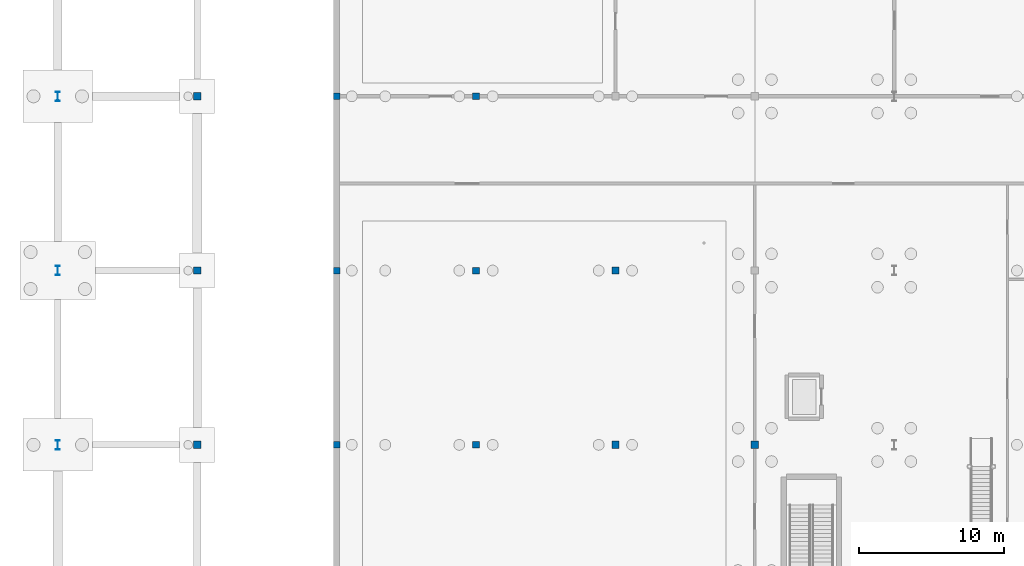
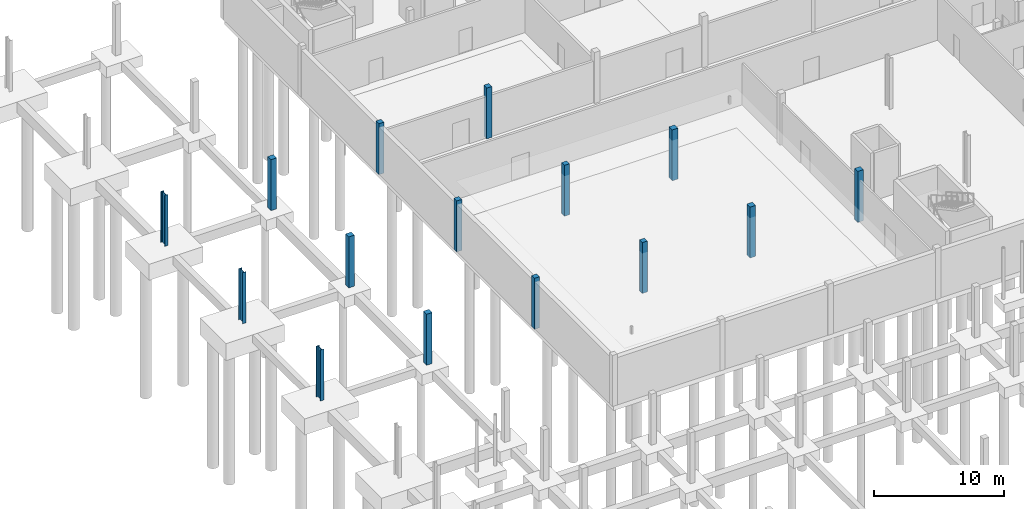
# One storey, part 15 of 31: 15 columns.
"""IFC4 building model written with IfcOpenShell, lengths in metres."""

import ifcopenshell
import ifcopenshell.guid

model = None  # the IFC model being written
_history = None  # IfcOwnerHistory: only IFC2X3 demands one
_inside = {}  # id of a spatial element -> (the spatial element, [elements in it])
_under = {}  # id of a project, library or spatial element -> (it, [spatial elements below it])
_declared = {}  # id of a project -> (the project, [libraries it declares])
_typed = {}  # id of a type object -> (the type object, [elements of that type])
_made_of = {}  # id of a material, layer set ... -> (it, [elements and type objects made of it])


def new_model(schema):
    """Start an empty IFC model of exactly this schema.

    Asked for "IFC4X3", IfcOpenShell would pick the latest addendum, in which some entities
    have other attributes; the version numbers below select the first issue.
    IFC2X3 requires an IfcOwnerHistory on every rooted entity: one is made here for all.
    """
    global model, _history
    if schema == "IFC4X3":
        model = ifcopenshell.file(schema_version=(4, 3, 0, 0))
    else:
        model = ifcopenshell.file(schema=schema)
    _inside.clear()
    _under.clear()
    _declared.clear()
    _typed.clear()
    _made_of.clear()
    _history = None
    if model.schema == "IFC2X3":
        org = make("IfcOrganization", Name="unknown")
        user = make(
            "IfcPersonAndOrganization",
            ThePerson=make("IfcPerson", FamilyName="unknown"),
            TheOrganization=org,
        )
        app = make(
            "IfcApplication",
            ApplicationDeveloper=org,
            Version="unknown",
            ApplicationFullName="unknown",
            ApplicationIdentifier="unknown",
        )
        _history = make(
            "IfcOwnerHistory",
            OwningUser=user,
            OwningApplication=app,
            ChangeAction="ADDED",
            CreationDate=0,
        )
    return model


def make(cls, **values):
    """One entity of the class cls with the attributes given. An attribute that is None is left unset."""
    return model.create_entity(
        cls, **{name: value for name, value in values.items() if value is not None}
    )


def rooted(cls, **values):
    """An entity with a GlobalId (a new one), such as an element, a storey or a relation."""
    return make(cls, GlobalId=ifcopenshell.guid.new(), OwnerHistory=_history, **values)


def si_unit(unit_type, name, prefix=None):
    """IfcSIUnit, for example si_unit("LENGTHUNIT", "METRE", prefix="MILLI")."""
    return make("IfcSIUnit", UnitType=unit_type, Prefix=prefix, Name=name)


def assignment(units):
    """IfcUnitAssignment: the units of a project."""
    return None if units is None else make("IfcUnitAssignment", Units=units)


def point(xyz):
    """IfcCartesianPoint."""
    return None if xyz is None else make("IfcCartesianPoint", Coordinates=xyz)


def direction(xyz):
    """IfcDirection."""
    return None if xyz is None else make("IfcDirection", DirectionRatios=xyz)


def frame(location, z_axis=None, x_axis=None):
    """IfcAxis2Placement3D, a coordinate frame: its origin and axes. An axis left out is left unset."""
    return make(
        "IfcAxis2Placement3D",
        Location=point(location),
        Axis=direction(z_axis),
        RefDirection=direction(x_axis),
    )


def frame_2d(location, x_axis=None):
    """IfcAxis2Placement2D, a coordinate frame in the plane: its origin and x axis."""
    return make(
        "IfcAxis2Placement2D", Location=point(location), RefDirection=direction(x_axis)
    )


def origin():
    """The frame at (0, 0, 0) with its axes left unset."""
    return frame((0.0, 0.0, 0.0))


def origin_2d():
    """The frame at (0, 0) in the plane with its x axis left unset."""
    return frame_2d((0.0, 0.0))


def place(relative_to, where):
    """IfcLocalPlacement: puts the frame where relative to a parent placement (None: the world)."""
    return make(
        "IfcLocalPlacement", PlacementRelTo=relative_to, RelativePlacement=where
    )


def context(
    kind, dimensions, precision=None, world=None, true_north=None, identifier=None
):
    """IfcGeometricRepresentationContext, for example the 3D "Model" context."""
    return make(
        "IfcGeometricRepresentationContext",
        ContextIdentifier=identifier,
        ContextType=kind,
        CoordinateSpaceDimension=dimensions,
        Precision=precision,
        WorldCoordinateSystem=world,
        TrueNorth=true_north,
    )


def subcontext(parent, identifier, kind, view, scale=None):
    """IfcGeometricRepresentationSubContext, for example "Body" below "Model"."""
    return make(
        "IfcGeometricRepresentationSubContext",
        ContextIdentifier=identifier,
        ContextType=kind,
        ParentContext=parent,
        TargetScale=scale,
        TargetView=view,
    )


def project(units=None, contexts=None):
    """IfcProject with its units and contexts."""
    return rooted(
        "IfcProject",
        Name="project",
        RepresentationContexts=contexts,
        UnitsInContext=assignment(units),
    )


def spatial(cls, under=None, at=None, **own):
    """A site, building, storey or space (cls), placed at a placement, below another one or the project."""
    s = rooted(cls, ObjectPlacement=at, **own)
    if under is not None:
        _under.setdefault(under.id(), (under, []))[1].append(s)
    return s


def profile(cls, at=None, kind="AREA", **sizes):
    """A parametric profile (cls). Its sizes go by their IFC names, for example OverallWidth=200.0."""
    return make(cls, ProfileType=kind, Position=at, **sizes)


def rectangle(**sizes):
    """IfcRectangleProfileDef."""
    return profile("IfcRectangleProfileDef", **sizes)


def i_section(**sizes):
    """IfcIShapeProfileDef."""
    return profile("IfcIShapeProfileDef", **sizes)


def extrude(swept, where, along, depth):
    """IfcExtrudedAreaSolid: the profile swept, set in the frame where, extruded along a direction by depth."""
    return make(
        "IfcExtrudedAreaSolid",
        SweptArea=swept,
        Position=where,
        ExtrudedDirection=direction(along),
        Depth=depth,
    )


def shape(context_of_items, identifier, shape_type, items):
    """IfcShapeRepresentation: the items that make up one representation, for example the "Body"."""
    return make(
        "IfcShapeRepresentation",
        ContextOfItems=context_of_items,
        RepresentationIdentifier=identifier,
        RepresentationType=shape_type,
        Items=items,
    )


def material(Name=None, Category=None):
    """IfcMaterial."""
    return make("IfcMaterial", Name=Name, Category=Category)


def material_profile(
    of_material, cross_section, Name=None, Category=None, Priority=None
):
    """IfcMaterialProfile: a cross section and its material."""
    return make(
        "IfcMaterialProfile",
        Name=Name,
        Material=of_material,
        Profile=cross_section,
        Priority=Priority,
        Category=Category,
    )


def profile_set(profiles, Name=None, composite=None):
    """IfcMaterialProfileSet."""
    return make(
        "IfcMaterialProfileSet",
        Name=Name,
        MaterialProfiles=profiles,
        CompositeProfile=composite,
    )


def made_of(thing, what):
    """Note that an element or type object is made of a material, layer set ...; save() writes the relation."""
    if what is not None:
        _made_of.setdefault(what.id(), (what, []))[1].append(thing)
    return thing


def type_object(cls, material=None, **own):
    """A type object (cls), such as IfcWallType, which elements share."""
    return made_of(rooted(cls, **own), material)


def element(
    cls,
    number,
    at=None,
    inside=None,
    cuts=None,
    type_object=None,
    material=None,
    context=None,
    identifier="Body",
    shape_type=None,
    held_by="IfcProductDefinitionShape",
    body=None,
    shapes=None,
    **own,
):
    """One element of the class cls, such as IfcWall. Its Tag is "e" and its number.

    at: its placement. inside: the storey or other place that contains it. cuts: it is an
    opening in that element (IfcRelVoidsElement). A single representation is given by context,
    identifier, shape_type and body (its items); several are given by shapes. held_by: the class
    of the entity that holds the representations. save() writes the other relations.
    """
    e = rooted(cls, Tag="e%d" % number, ObjectPlacement=at, **own)
    if body is not None:
        shapes = [shape(context, identifier, shape_type, body)]
    if shapes is not None:
        e.Representation = make(held_by, Representations=shapes)
    if inside is not None:
        _inside.setdefault(inside.id(), (inside, []))[1].append(e)
    if cuts is not None:
        rooted(
            "IfcRelVoidsElement", RelatingBuildingElement=cuts, RelatedOpeningElement=e
        )
    if type_object is not None:
        _typed.setdefault(type_object.id(), (type_object, []))[1].append(e)
    return made_of(e, material)


def aggregate(whole, parts):
    """IfcRelAggregates: a whole, such as a stair, and the parts it consists of."""
    return rooted("IfcRelAggregates", RelatingObject=whole, RelatedObjects=parts)


def save(model, path):
    """Write the relations noted so far, then the file.

    IfcRelAggregates (storeys below a building ...), IfcRelContainedInSpatialStructure (elements
    in a storey), IfcRelDefinesByType, IfcRelAssociatesMaterial and IfcRelDeclares: one each for
    every whole, place, type object, material and project.
    """
    for whole, parts in _under.values():
        aggregate(whole, parts)
    for where, things in _inside.values():
        rooted(
            "IfcRelContainedInSpatialStructure",
            RelatedElements=things,
            RelatingStructure=where,
        )
    for kind, things in _typed.values():
        rooted("IfcRelDefinesByType", RelatedObjects=things, RelatingType=kind)
    for what, things in _made_of.values():
        rooted("IfcRelAssociatesMaterial", RelatedObjects=things, RelatingMaterial=what)
    for by, libraries in _declared.values():
        rooted("IfcRelDeclares", RelatingContext=by, RelatedDefinitions=libraries)
    model.write(path)


model = new_model("IFC4")

# Units and contexts
model_context = context("Model", 3, precision=1e-05, world=origin(), true_north=direction((0.0, 1.0)))
body_context = subcontext(model_context, "Body", "Model", "MODEL_VIEW")
ifc_project = project(units=[si_unit("LENGTHUNIT", "METRE"), si_unit("AREAUNIT", "SQUARE_METRE"), si_unit("VOLUMEUNIT", "CUBIC_METRE"), si_unit("PLANEANGLEUNIT", "RADIAN"), si_unit("MASSUNIT", "GRAM", prefix="KILO")], contexts=[model_context])

# Site, building, storey
site_placement = place(None, origin())
site = spatial("IfcSite", under=ifc_project, at=site_placement, CompositionType="ELEMENT")
building_placement = place(site_placement, origin())
building = spatial("IfcBuilding", under=site, at=building_placement, Name="Merenkruunu Market Hall", CompositionType="ELEMENT")
storey_placement = place(building_placement, frame((0.0, 0.0, -4.800048828125)))
storey = spatial("IfcBuildingStorey", under=building, at=storey_placement, Name="B1", CompositionType="ELEMENT", Elevation=-4.800048828125)

# Columns
ifc_material_1 = material(Name="Steel S355ML", Category="steel")
ifc_material_profile_1 = material_profile(ifc_material_1, i_section(OverallWidth=0.300048828125, OverallDepth=0.64990234375, WebThickness=0.01611328125, FlangeThickness=0.031005859375, FilletRadius=0.027099609375, at=origin_2d()), Name="HEB 650")
ifc_profile_set_1 = profile_set([ifc_material_profile_1], Name="Steel S355ML")
column_type_1 = type_object("IfcColumnType", Name="Structural Column C01", PredefinedType="COLUMN", material=ifc_profile_set_1)
for number, where, z_axis, x_axis, name in (
    (1, (0.0, 63.60009765625, 0.0), (0.0, 0.0, 1.0), (1.0, 0.0, 0.0), "COL-B1-A-08"),
    (2, (0.0, 75.60009765625, 0.0), (0.0, 0.0, 1.0), (1.0, 0.0, 0.0), "COL-B1-A-09"),
    (3, (0.0, 87.60009765625, 0.0), (0.0, 0.0, 1.0), (1.0, 0.0, 0.0), "COL-B1-A-10"),
):
    element("IfcColumn", number, at=place(storey_placement, frame(where, z_axis=z_axis, x_axis=x_axis)), inside=storey, type_object=column_type_1, Name=name, PredefinedType="COLUMN", context=body_context, shape_type="SweptSolid", body=[
        extrude(i_section(OverallWidth=0.300048828125, OverallDepth=0.64990234375, WebThickness=0.01611328125, FlangeThickness=0.031005859375, FilletRadius=0.027099609375, at=origin_2d()), origin(), (0.0, 0.0, 1.0), 4.800048828125),
    ])
ifc_material_2 = material(Name="Concrete C35/45", Category="concrete")
ifc_material_profile_2 = material_profile(ifc_material_2, rectangle(XDim=0.5, YDim=0.5, at=origin_2d()), Name="RC 500x500")
ifc_profile_set_2 = profile_set([ifc_material_profile_2], Name="Concrete C35/45")
column_type_2 = type_object("IfcColumnType", Name="Structural Column C18", PredefinedType="COLUMN", material=ifc_profile_set_2)
for number, where, z_axis, x_axis, name in (
    (4, (9.60009765625, 63.60009765625, 0.0), (0.0, 0.0, 1.0), (1.0, 0.0, 0.0), "COL-B1-B-08"),
    (5, (9.60009765625, 75.60009765625, 0.0), (0.0, 0.0, 1.0), (1.0, 0.0, 0.0), "COL-B1-B-09"),
    (6, (9.60009765625, 87.60009765625, 0.0), (0.0, 0.0, 1.0), (1.0, 0.0, 0.0), "COL-B1-B-10"),
    (7, (38.39990234375, 63.60009765625, 0.0), (0.0, 0.0, 1.0), (1.0, 0.0, 0.0), "COL-B1-E-08"),
    (8, (38.39990234375, 75.60009765625, 0.0), (0.0, 0.0, 1.0), (1.0, 0.0, 0.0), "COL-B1-E-09"),
    (9, (48.0, 63.60009765625, 0.0), (0.0, 0.0, 1.0), (1.0, 0.0, 0.0), "COL-B1-F-08"),
):
    element("IfcColumn", number, at=place(storey_placement, frame(where, z_axis=z_axis, x_axis=x_axis)), inside=storey, type_object=column_type_2, Name=name, PredefinedType="COLUMN", context=body_context, shape_type="SweptSolid", body=[
        extrude(rectangle(XDim=0.5, YDim=0.5, at=origin_2d()), origin(), (0.0, 0.0, 1.0), 4.800048828125),
    ])
ifc_material_profile_3 = material_profile(ifc_material_2, rectangle(XDim=0.449951171875, YDim=0.449951171875, at=origin_2d()), Name="RC 450x450")
ifc_profile_set_3 = profile_set([ifc_material_profile_3], Name="Concrete C35/45")
column_type_3 = type_object("IfcColumnType", Name="Structural Column C19", PredefinedType="COLUMN", material=ifc_profile_set_3)
for number, where, z_axis, x_axis, name in (
    (10, (19.199951171875, 63.60009765625, 0.0), (0.0, 0.0, 1.0), (1.0, 0.0, 0.0), "COL-B1-C-08"),
    (11, (19.199951171875, 75.60009765625, 0.0), (0.0, 0.0, 1.0), (1.0, 0.0, 0.0), "COL-B1-C-09"),
    (12, (19.199951171875, 87.60009765625, 0.0), (0.0, 0.0, 1.0), (1.0, 0.0, 0.0), "COL-B1-C-10"),
    (13, (28.800048828125, 63.60009765625, 0.0), (0.0, 0.0, 1.0), (1.0, 0.0, 0.0), "COL-B1-D-08"),
    (14, (28.800048828125, 75.60009765625, 0.0), (0.0, 0.0, 1.0), (1.0, 0.0, 0.0), "COL-B1-D-09"),
    (15, (28.800048828125, 87.60009765625, 0.0), (0.0, 0.0, 1.0), (1.0, 0.0, 0.0), "COL-B1-D-10"),
):
    element("IfcColumn", number, at=place(storey_placement, frame(where, z_axis=z_axis, x_axis=x_axis)), inside=storey, type_object=column_type_3, Name=name, PredefinedType="COLUMN", context=body_context, shape_type="SweptSolid", body=[
        extrude(rectangle(XDim=0.449951171875, YDim=0.449951171875, at=origin_2d()), origin(), (0.0, 0.0, 1.0), 4.800048828125),
    ])

save(model, "model.ifc")
